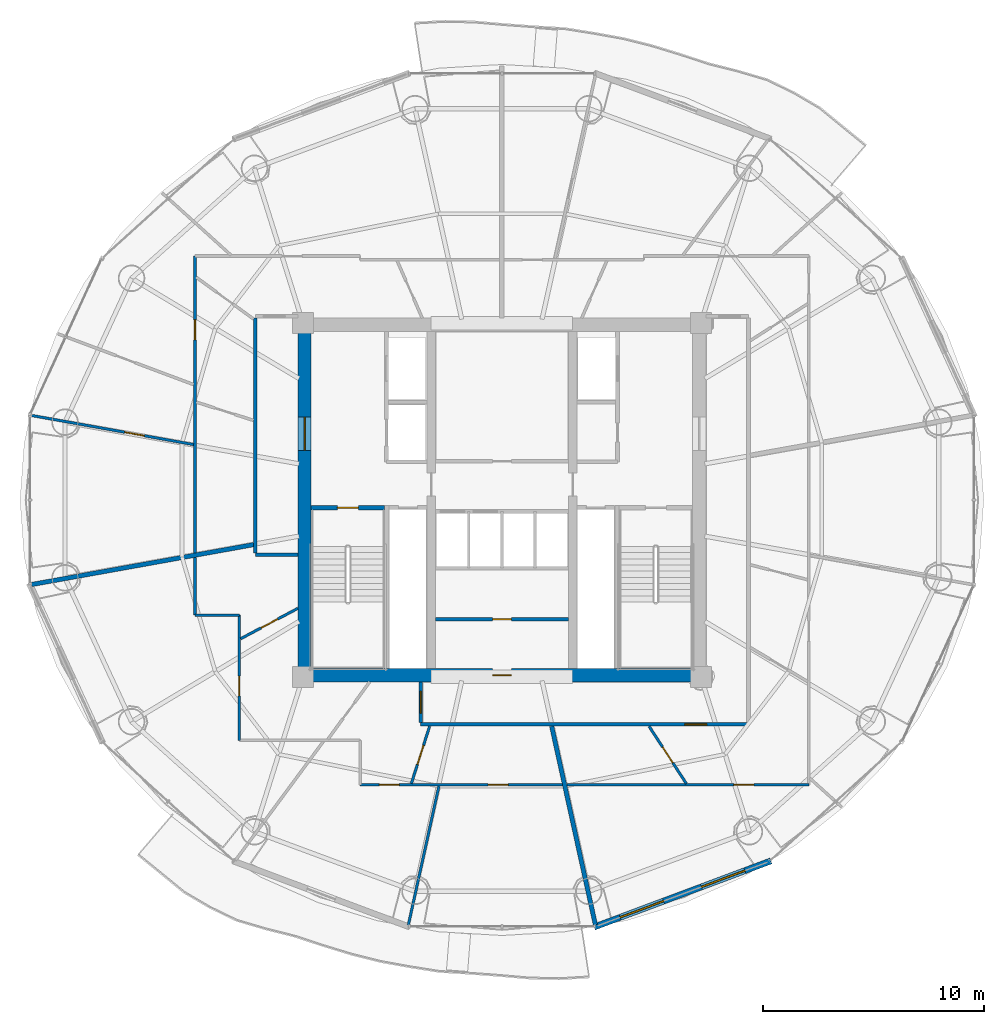
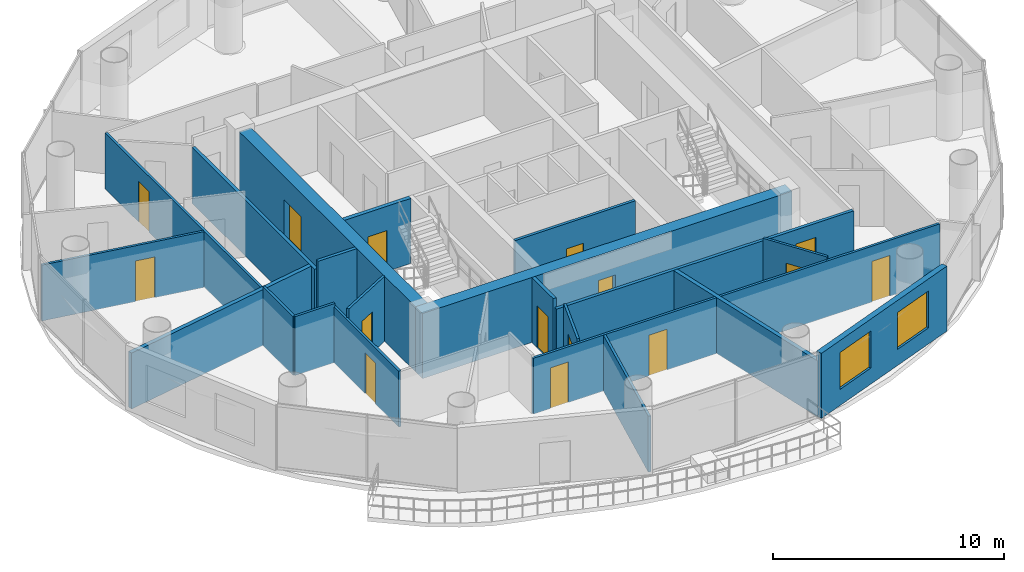
# One storey, part 20 of 27: 22 walls, 15 doors, 2 windows, 17 openings.
"""IFC4 building model written with IfcOpenShell, lengths in metres."""

from ifc_helpers import new_model, si_unit, direction, frame, frame_2d, origin, place, context, subcontext, project, spatial, rectangle, extrude, source, transform, mapped, material, layer, layer_set, type_object, element, fill, save


model = new_model("IFC4")

# Units and contexts
model_context = context("Model", 3, precision=1e-05, world=origin(), true_north=direction((-0.2419218956, 0.970295726276)))
body_context = subcontext(model_context, "Body", "Model", "MODEL_VIEW")
ifc_project = project(units=[si_unit("LENGTHUNIT", "METRE"), si_unit("AREAUNIT", "SQUARE_METRE"), si_unit("VOLUMEUNIT", "CUBIC_METRE"), si_unit("PLANEANGLEUNIT", "RADIAN"), si_unit("MASSUNIT", "GRAM", prefix="KILO")], contexts=[model_context])

# Site, building, storey
site_placement = place(None, origin())
site = spatial("IfcSite", under=ifc_project, at=site_placement, CompositionType="ELEMENT")
building_placement = place(site_placement, origin())
building = spatial("IfcBuilding", under=site, at=building_placement, Name="Cobrevalo Terracotta Tower", CompositionType="ELEMENT")
storey_placement = place(building_placement, frame((0.0, 0.0, 194.89990234375)))
storey = spatial("IfcBuildingStorey", under=building, at=storey_placement, Name="L51", CompositionType="ELEMENT", Elevation=194.89990234375)

# Wall, opening, door
ifc_material_1 = material(Name="Concrete C55", Category="concrete")
ifc_layer_1 = layer(ifc_material_1, 0.60009765625)
ifc_layer_set_1 = layer_set([ifc_layer_1], Name="Concrete C55")
wall_type_1 = type_object("IfcWallType", Name="Core shear wall 600 mm Concrete C55", PredefinedType="SHEAR", material=ifc_layer_set_1)
wall_1_placement = place(storey_placement, frame((28.77490234375, 18.875, 0.0), z_axis=(0.0, 0.0, 1.0), x_axis=(1.0, 0.0, 0.0)))
wall_1 = element("IfcWall", 1, at=wall_1_placement, inside=storey, type_object=wall_type_1, Name="L51 south core shear wall", PredefinedType="SHEAR", context=body_context, shape_type="SweptSolid", body=[
    extrude(rectangle(XDim=18.4501953125, YDim=0.60009765625, at=frame_2d((9.22509765625, 0.0))), origin(), (0.0, 0.0, 1.0), 3.43505859375),
])
opening_1_placement = place(wall_1_placement, frame((8.800048828125, 0.0, 0.0)))
opening_1 = element("IfcOpeningElement", 2, at=opening_1_placement, cuts=wall_1, Name="Opening ID-22", PredefinedType="OPENING", context=body_context, shape_type="SweptSolid", body=[
    extrude(rectangle(XDim=0.85009765625, YDim=2.10009765625, at=frame_2d((0.425048828125, 1.050048828125))), frame((0.0, 0.31005859375, 0.0), z_axis=(0.0, -1.0, 0.0), x_axis=(1.0, 0.0, 0.0)), (0.0, 0.0, 1.0), 0.6201171875),
])
ifc_material_2 = material(Name="Powder-coated steel", Category="steel")
door_type_1 = type_object("IfcDoorType", Name="Riser shaft & meter closet fire access door 850x2100 EI 60", OperationType="NOTDEFINED", PredefinedType="DOOR", material=ifc_material_2)
shared_shape_1 = source(origin(), body_context, "Body", "SweptSolid", [
    extrude(rectangle(XDim=0.85009765625, YDim=2.10009765625, at=frame_2d((0.425048828125, 1.050048828125))), frame((0.0, 0.02490234375, 0.0), z_axis=(0.0, -1.0, 0.0), x_axis=(1.0, 0.0, 0.0)), (0.0, 0.0, 1.0), 0.050048828125),
])
door_1_placement = place(opening_1_placement, origin())
door_1 = element("IfcDoor", 3, at=door_1_placement, inside=storey, type_object=door_type_1, Name="L51 core south plant door Smoke Extract Fan Plant", OperationType="SINGLE_SWING_RIGHT", OverallHeight=2.10009765625, OverallWidth=0.85009765625, PredefinedType="DOOR", context=body_context, shape_type="MappedRepresentation", body=[
    mapped(shared_shape_1, transform((0.0, 0.0, 0.0), scale=1.0)),
])
fill(opening_1, door_1)

wall_2_placement = place(storey_placement, frame((29.074951171875, 19.175048828125, 0.0), z_axis=(0.0, 0.0, 1.0), x_axis=(0.0, 1.0, 0.0)))
wall_2 = element("IfcWall", 4, at=wall_2_placement, inside=storey, type_object=wall_type_1, Name="L51 west core shear wall", PredefinedType="SHEAR", context=body_context, shape_type="SweptSolid", body=[
    extrude(rectangle(XDim=15.25, YDim=0.60009765625, at=frame_2d((7.625, 0.0))), origin(), (0.0, 0.0, 1.0), 3.43505859375),
])
opening_2_placement = place(wall_2_placement, frame((9.875, 0.0, 0.0)))
opening_2 = element("IfcOpeningElement", 5, at=opening_2_placement, cuts=wall_2, Name="Opening ID-14", PredefinedType="OPENING", context=body_context, shape_type="SweptSolid", body=[
    extrude(rectangle(XDim=1.5, YDim=2.199951171875, at=frame_2d((0.75, 1.10009765625))), frame((0.0, 0.31005859375, 0.0), z_axis=(0.0, -1.0, 0.0), x_axis=(1.0, 0.0, 0.0)), (0.0, 0.0, 1.0), 0.6201171875),
])
ifc_material_3 = material(Name="Galvanized fire-rated steel", Category="steel")
door_type_2 = type_object("IfcDoorType", Name="Core cross-lobby double fire door 1500x2200 EI 90", OperationType="NOTDEFINED", PredefinedType="DOOR", material=ifc_material_3)
shared_shape_2 = source(origin(), body_context, "Body", "SweptSolid", [
    extrude(rectangle(XDim=1.5, YDim=2.199951171875, at=frame_2d((0.75, 1.10009765625))), frame((0.0, 0.02490234375, 0.0), z_axis=(0.0, -1.0, 0.0), x_axis=(1.0, 0.0, 0.0)), (0.0, 0.0, 1.0), 0.050048828125),
])
door_2_placement = place(opening_2_placement, origin())
door_2 = element("IfcDoor", 6, at=door_2_placement, inside=storey, type_object=door_type_2, Name="L51 west firefighting lobby entrance door", OperationType="DOUBLE_DOOR_SINGLE_SWING", OverallHeight=2.199951171875, OverallWidth=1.5, PredefinedType="DOOR", context=body_context, shape_type="MappedRepresentation", body=[
    mapped(shared_shape_2, transform((0.0, 0.0, 0.0), scale=1.0)),
])
fill(opening_2, door_2)

# Walls
ifc_material_4 = material(Name="Gypsum board on steel stud", Category="steel")
ifc_layer_2 = layer(ifc_material_4, 0.159912109375)
ifc_layer_set_2 = layer_set([ifc_layer_2], Name="Gypsum board on steel stud")
wall_type_2 = type_object("IfcWallType", Name="Fire-rated corridor acoustic partition wall 160 mm", PredefinedType="PARTITIONING", material=ifc_layer_set_2)
wall_3_placement = place(storey_placement, frame((26.844970703125, 24.39990234375, 0.0), z_axis=(0.0, 0.0, 1.0), x_axis=(0.0, 1.0, 0.0)))
element("IfcWall", 7, at=wall_3_placement, inside=storey, type_object=wall_type_2, Name="L51 interior partition IW-L51-COR-W", PredefinedType="PARTITIONING", context=body_context, shape_type="SweptSolid", body=[
    extrude(rectangle(XDim=10.625, YDim=0.159912109375, at=frame_2d((5.3125, 0.0))), origin(), (0.0, 0.0, 1.0), 2.951171875),
])
wall_4_placement = place(storey_placement, frame((26.844970703125, 24.320068359375, 0.0), z_axis=(0.0, 0.0, 1.0), x_axis=(1.0, 0.0, 0.0)))
element("IfcWall", 8, at=wall_4_placement, inside=storey, type_object=wall_type_2, Name="L51 interior partition IW-L51-COR-WS-CAP", PredefinedType="PARTITIONING", context=body_context, shape_type="SweptSolid", body=[
    extrude(rectangle(XDim=1.929931640625, YDim=0.159912109375, at=frame_2d((0.96484375, 0.0))), origin(), (0.0, 0.0, 1.0), 3.43505859375),
])

# Wall, opening, door
wall_5_placement = place(storey_placement, frame((34.320068359375, 16.64501953125, 0.0), z_axis=(0.0, 0.0, 1.0), x_axis=(1.0, 0.0, 0.0)))
wall_5 = element("IfcWall", 9, at=wall_5_placement, inside=storey, type_object=wall_type_2, Name="L51 interior partition IW-L51-COR-S", PredefinedType="PARTITIONING", context=body_context, shape_type="SweptSolid", body=[
    extrude(rectangle(XDim=14.8349609375, YDim=0.159912109375, at=frame_2d((7.41748046875, 0.0))), origin(), (0.0, 0.0, 1.0), 2.951171875),
])
opening_3_placement = place(wall_5_placement, frame((11.96142578125, 0.0, 0.0)))
opening_3 = element("IfcOpeningElement", 10, at=opening_3_placement, cuts=wall_5, Name="Opening ID-05", PredefinedType="OPENING", context=body_context, shape_type="SweptSolid", body=[
    extrude(rectangle(XDim=0.97998046875, YDim=2.199951171875, at=frame_2d((0.489990234375, 1.10009765625))), frame((0.0, 0.08984375, 0.0), z_axis=(0.0, -1.0, 0.0), x_axis=(1.0, 0.0, 0.0)), (0.0, 0.0, 1.0), 0.179931640625),
])
ifc_material_5 = material(Name="Solid hardwood timber", Category="wood")
door_type_3 = type_object("IfcDoorType", Name="Residence entrance fire-rated acoustic timber door 980x2200 EI 60", OperationType="NOTDEFINED", PredefinedType="DOOR", material=ifc_material_5)
shared_shape_3 = source(origin(), body_context, "Body", "SweptSolid", [
    extrude(rectangle(XDim=0.97998046875, YDim=2.199951171875, at=frame_2d((0.489990234375, 1.10009765625))), frame((0.0, 0.02490234375, 0.0), z_axis=(0.0, -1.0, 0.0), x_axis=(1.0, 0.0, 0.0)), (0.0, 0.0, 1.0), 0.050048828125),
])
door_3_placement = place(opening_3_placement, origin())
door_3 = element("IfcDoor", 11, at=door_3_placement, inside=storey, type_object=door_type_3, Name="Flat L51D fire-rated apartment entrance door", OperationType="SINGLE_SWING_RIGHT", OverallHeight=2.199951171875, OverallWidth=0.97998046875, PredefinedType="DOOR", context=body_context, shape_type="MappedRepresentation", body=[
    mapped(shared_shape_3, transform((0.0, 0.0, 0.0), scale=1.0)),
])
fill(opening_3, door_3)

wall_6_placement = place(storey_placement, frame((34.320068359375, 16.72509765625, 0.0), z_axis=(0.0, 0.0, 1.0), x_axis=(0.0, 1.0, 0.0)))
wall_6 = element("IfcWall", 12, at=wall_6_placement, inside=storey, type_object=wall_type_2, Name="L51 interior partition IW-L51-COR-SW-CAP", PredefinedType="PARTITIONING", context=body_context, shape_type="SweptSolid", body=[
    extrude(rectangle(XDim=1.849853515625, YDim=0.159912109375, at=frame_2d((0.9248046875, 0.0))), origin(), (0.0, 0.0, 1.0), 3.43505859375),
])
opening_4_placement = place(wall_6_placement, frame((0.43505859375, 0.0, 0.0)))
opening_4 = element("IfcOpeningElement", 13, at=opening_4_placement, cuts=wall_6, Name="Opening ID-05", PredefinedType="OPENING", context=body_context, shape_type="SweptSolid", body=[
    extrude(rectangle(XDim=0.97998046875, YDim=2.199951171875, at=frame_2d((0.489990234375, 1.10009765625))), frame((0.0, 0.08984375, 0.0), z_axis=(0.0, -1.0, 0.0), x_axis=(1.0, 0.0, 0.0)), (0.0, 0.0, 1.0), 0.179931640625),
])
door_4_placement = place(opening_4_placement, origin())
door_4 = element("IfcDoor", 14, at=door_4_placement, inside=storey, type_object=door_type_3, Name="Flat L51C fire-rated apartment entrance door", OperationType="SINGLE_SWING_LEFT", OverallHeight=2.199951171875, OverallWidth=0.97998046875, PredefinedType="DOOR", context=body_context, shape_type="MappedRepresentation", body=[
    mapped(shared_shape_3, transform((0.0, 0.0, 0.0), scale=1.0)),
])
fill(opening_4, door_4)

# Walls
ifc_material_6 = material(Name="Autoclaved aerated concrete block", Category="concrete")
ifc_layer_3 = layer(ifc_material_6, 0.199951171875)
ifc_layer_set_3 = layer_set([ifc_layer_3], Name="Autoclaved aerated concrete block")
wall_type_3 = type_object("IfcWallType", Name="Fire-rated stair, shaft & demising masonry wall 200 mm", PredefinedType="PARTITIONING", material=ifc_layer_set_3)
wall_7_placement = place(storey_placement, frame((26.764892578125, 24.780517578125, 0.0), z_axis=(0.0, 0.0, 1.0), x_axis=(-0.984226684914, -0.176911934879, 0.0)))
element("IfcWall", 15, at=wall_7_placement, inside=storey, type_object=wall_type_3, Name="L51 interior partition IW-L51-DEM-3", PredefinedType="PARTITIONING", context=body_context, shape_type="SweptSolid", body=[
    extrude(rectangle(XDim=10.202392578125, YDim=0.199951171875, at=frame_2d((5.10107421875, 0.0))), origin(), (0.0, 0.0, 1.0), 2.951171875),
])
wall_8_placement = place(storey_placement, frame((40.2529296875, 16.56494140625, 0.0), z_axis=(0.0, 0.0, 1.0), x_axis=(0.214957946814, -0.976623305631, 0.0)))
element("IfcWall", 16, at=wall_8_placement, inside=storey, type_object=wall_type_3, Name="L51 interior partition IW-L51-DEM-4", PredefinedType="PARTITIONING", context=body_context, shape_type="SweptSolid", body=[
    extrude(rectangle(XDim=9.201904296875, YDim=0.199951171875, at=frame_2d((4.60107421875, 0.0))), origin(), (0.0, 0.0, 1.0), 2.951171875),
])

# Wall, openings, windows
ifc_layer_4 = layer(ifc_material_6, 0.280029296875)
ifc_layer_set_4 = layer_set([ifc_layer_4], Name="Autoclaved aerated concrete block")
wall_type_4 = type_object("IfcWallType", Name="Insulated tower spandrel & pier wall 280 mm with terracotta rainscreen", PredefinedType="SOLIDWALL", material=ifc_layer_set_4)
wall_9_placement = place(storey_placement, frame((42.172119140625, 7.47998046875, 0.0), z_axis=(0.0, 0.0, 1.0), x_axis=(0.936556918375, 0.350515532672, 0.0)))
wall_9 = element("IfcWall", 17, at=wall_9_placement, inside=storey, type_object=wall_type_4, Name="L51 terracotta rainscreen pier wall S13", PredefinedType="SOLIDWALL", context=body_context, shape_type="SweptSolid", body=[
    extrude(rectangle(XDim=8.539306640625, YDim=0.280029296875, at=frame_2d((4.26953125, 0.0))), origin(), (0.0, 0.0, 1.0), 3.43505859375),
])
opening_5_placement = place(wall_9_placement, frame((1.255615234375, 0.0, 0.85009765625)))
opening_5 = element("IfcOpeningElement", 18, at=opening_5_placement, cuts=wall_9, Name="Opening WN-10", PredefinedType="OPENING", context=body_context, shape_type="SweptSolid", body=[
    extrude(rectangle(XDim=2.10009765625, YDim=1.949951171875, at=frame_2d((1.050048828125, 0.97509765625))), frame((0.0, 0.14990234375, 0.0), z_axis=(0.0, -1.0, 0.0), x_axis=(1.0, 0.0, 0.0)), (0.0, 0.0, 1.0), 0.300048828125),
])
opening_6_placement = place(wall_9_placement, frame((5.18359375, 0.0, 0.85009765625)))
opening_6 = element("IfcOpeningElement", 19, at=opening_6_placement, cuts=wall_9, Name="Opening WN-10", PredefinedType="OPENING", context=body_context, shape_type="SweptSolid", body=[
    extrude(rectangle(XDim=2.10009765625, YDim=1.949951171875, at=frame_2d((1.050048828125, 0.97509765625))), frame((0.0, 0.14990234375, 0.0), z_axis=(0.0, -1.0, 0.0), x_axis=(1.0, 0.0, 0.0)), (0.0, 0.0, 1.0), 0.300048828125),
])
ifc_material_7 = material(Name="Solar-control low-E double glazing", Category="glass")
window_type = type_object("IfcWindowType", Name="Wide panoramic low-E aluminium window 2100x1950", PartitioningType="SINGLE_PANEL", PredefinedType="WINDOW", material=ifc_material_7)
shared_shape_4 = source(origin(), body_context, "Body", "SweptSolid", [
    extrude(rectangle(XDim=2.10009765625, YDim=1.949951171875, at=frame_2d((1.050048828125, 0.97509765625))), frame((0.0, 0.030029296875, 0.0), z_axis=(0.0, -1.0, 0.0), x_axis=(1.0, 0.0, 0.0)), (0.0, 0.0, 1.0), 0.06005859375),
])
window_1_placement = place(opening_5_placement, origin())
window_1 = element("IfcWindow", 20, at=window_1_placement, inside=storey, type_object=window_type, Name="L51 suite window S13A", OverallHeight=1.949951171875, OverallWidth=2.10009765625, PartitioningType="SINGLE_PANEL", PredefinedType="WINDOW", context=body_context, shape_type="MappedRepresentation", body=[
    mapped(shared_shape_4, transform((0.0, 0.0, 0.0), scale=1.0)),
])
fill(opening_5, window_1)
window_2_placement = place(opening_6_placement, origin())
window_2 = element("IfcWindow", 21, at=window_2_placement, inside=storey, type_object=window_type, Name="L51 suite window S13B", OverallHeight=1.949951171875, OverallWidth=2.10009765625, PartitioningType="SINGLE_PANEL", PredefinedType="WINDOW", context=body_context, shape_type="MappedRepresentation", body=[
    mapped(shared_shape_4, transform((0.0, 0.0, 0.0), scale=1.0)),
])
fill(opening_6, window_2)

# Wall, opening, door
ifc_layer_5 = layer(ifc_material_6, 0.139892578125)
ifc_layer_set_5 = layer_set([ifc_layer_5], Name="Autoclaved aerated concrete block")
wall_type_5 = type_object("IfcWallType", Name="Moisture-resistant wet-room & core service partition 140 mm", PredefinedType="PARTITIONING", material=ifc_layer_set_5)
wall_10_placement = place(storey_placement, frame((34.989990234375, 21.407470703125, 0.0), z_axis=(0.0, 0.0, 1.0), x_axis=(1.0, 0.0, 0.0)))
wall_10 = element("IfcWall", 22, at=wall_10_placement, inside=storey, type_object=wall_type_5, Name="L51 interior partition IW-L51-KVS-H", PredefinedType="PARTITIONING", context=body_context, shape_type="SweptSolid", body=[
    extrude(rectangle(XDim=6.02001953125, YDim=0.139892578125, at=frame_2d((3.010009765625, 0.0))), origin(), (0.0, 0.0, 1.0), 3.43505859375),
])
opening_7_placement = place(wall_10_placement, frame((2.5849609375, 0.0, 0.0)))
opening_7 = element("IfcOpeningElement", 23, at=opening_7_placement, cuts=wall_10, Name="Opening ID-22", PredefinedType="OPENING", context=body_context, shape_type="SweptSolid", body=[
    extrude(rectangle(XDim=0.85009765625, YDim=2.10009765625, at=frame_2d((0.425048828125, 1.050048828125))), frame((0.0, 0.080078125, 0.0), z_axis=(0.0, -1.0, 0.0), x_axis=(1.0, 0.0, 0.0)), (0.0, 0.0, 1.0), 0.159912109375),
])
door_5_placement = place(opening_7_placement, origin())
door_5 = element("IfcDoor", 24, at=door_5_placement, inside=storey, type_object=door_type_1, Name="L51 core manifold inner door", OperationType="SINGLE_SWING_LEFT", OverallHeight=2.10009765625, OverallWidth=0.85009765625, PredefinedType="DOOR", context=body_context, shape_type="MappedRepresentation", body=[
    mapped(shared_shape_1, transform((0.0, 0.0, 0.0), scale=1.0)),
])
fill(opening_7, door_5)

ifc_layer_6 = layer(ifc_material_4, 0.1201171875)
ifc_layer_set_6 = layer_set([ifc_layer_6], Name="Gypsum board on steel stud")
wall_type_6 = type_object("IfcWallType", Name="Residential internal acoustic stud partition 120 mm", PredefinedType="PARTITIONING", material=ifc_layer_set_6)
wall_11_placement = place(storey_placement, frame((24.114990234375, 24.40625, 0.0), z_axis=(0.0, 0.0, 1.0), x_axis=(0.0, 1.0, 0.0)))
wall_11 = element("IfcWall", 25, at=wall_11_placement, inside=storey, type_object=wall_type_6, Name="L51 interior partition IW-L51-U2-RING0_0", PredefinedType="PARTITIONING", context=body_context, shape_type="SweptSolid", body=[
    extrude(rectangle(XDim=13.4287109375, YDim=0.1201171875, at=frame_2d((6.71435546875, 0.0))), origin(), (0.0, 0.0, 1.0), 2.951171875),
])
opening_8_placement = place(wall_11_placement, frame((9.640869140625, 0.0, 0.0)))
opening_8 = element("IfcOpeningElement", 26, at=opening_8_placement, cuts=wall_11, Name="Opening ID-12", PredefinedType="OPENING", context=body_context, shape_type="SweptSolid", body=[
    extrude(rectangle(XDim=0.89990234375, YDim=2.14990234375, at=frame_2d((0.449951171875, 1.074951171875))), frame((0.0, 0.070068359375, 0.0), z_axis=(0.0, -1.0, 0.0), x_axis=(1.0, 0.0, 0.0)), (0.0, 0.0, 1.0), 0.14013671875),
])
ifc_material_8 = material(Name="Engineered timber", Category="wood")
door_type_4 = type_object("IfcDoorType", Name="Internal residence & suite timber door 900x2150", OperationType="NOTDEFINED", PredefinedType="DOOR", material=ifc_material_8)
shared_shape_5 = source(origin(), body_context, "Body", "SweptSolid", [
    extrude(rectangle(XDim=0.89990234375, YDim=2.14990234375, at=frame_2d((0.449951171875, 1.074951171875))), frame((0.0, 0.02490234375, 0.0), z_axis=(0.0, -1.0, 0.0), x_axis=(1.0, 0.0, 0.0)), (0.0, 0.0, 1.0), 0.050048828125),
])
door_6_placement = place(opening_8_placement, origin())
door_6 = element("IfcDoor", 27, at=door_6_placement, inside=storey, type_object=door_type_4, Name="Flat L51B Master Bedroom internal door", OperationType="SINGLE_SWING_RIGHT", OverallHeight=2.14990234375, OverallWidth=0.89990234375, PredefinedType="DOOR", context=body_context, shape_type="MappedRepresentation", body=[
    mapped(shared_shape_5, transform((0.0, 0.0, 0.0), scale=1.0)),
])
fill(opening_8, door_6)

wall_12_placement = place(storey_placement, frame((24.053955078125, 29.306884765625, 0.0), z_axis=(0.0, 0.0, 1.0), x_axis=(-0.984227185588, 0.176909149424, 0.0)))
wall_12 = element("IfcWall", 28, at=wall_12_placement, inside=storey, type_object=wall_type_6, Name="L51 interior partition IW-L51-U2-ORAD3M1", PredefinedType="PARTITIONING", context=body_context, shape_type="SweptSolid", body=[
    extrude(rectangle(XDim=7.447998046875, YDim=0.1201171875, at=frame_2d((3.72412109375, 0.0))), origin(), (0.0, 0.0, 1.0), 2.951171875),
])
opening_9_placement = place(wall_12_placement, frame((2.263916015625, 0.0, 0.0)))
opening_9 = element("IfcOpeningElement", 29, at=opening_9_placement, cuts=wall_12, Name="Opening ID-12", PredefinedType="OPENING", context=body_context, shape_type="SweptSolid", body=[
    extrude(rectangle(XDim=0.89990234375, YDim=2.14990234375, at=frame_2d((0.449951171875, 1.074951171875))), frame((0.0, 0.070068359375, 0.0), z_axis=(0.0, -1.0, 0.0), x_axis=(1.0, 0.0, 0.0)), (0.0, 0.0, 1.0), 0.14013671875),
])
door_7_placement = place(opening_9_placement, origin())
door_7 = element("IfcDoor", 30, at=door_7_placement, inside=storey, type_object=door_type_4, Name="Flat L51B Penthouse Family Lounge internal door", OperationType="SINGLE_SWING_RIGHT", OverallHeight=2.14990234375, OverallWidth=0.89990234375, PredefinedType="DOOR", context=body_context, shape_type="MappedRepresentation", body=[
    mapped(shared_shape_5, transform((0.0, 0.0, 0.0), scale=1.0)),
])
fill(opening_9, door_7)

# Wall, openings, doors
wall_13_placement = place(storey_placement, frame((40.734130859375, 13.9150390625, 0.0), z_axis=(0.0, 0.0, 1.0), x_axis=(-1.0, 0.0, 0.0)))
wall_13 = element("IfcWall", 31, at=wall_13_placement, inside=storey, type_object=wall_type_6, Name="L51 interior partition IW-L51-U3-RING0_0", PredefinedType="PARTITIONING", context=body_context, shape_type="SweptSolid", body=[
    extrude(rectangle(XDim=9.14404296875, YDim=0.1201171875, at=frame_2d((4.572021484375, 0.0))), origin(), (0.0, 0.0, 1.0), 2.951171875),
])
opening_10_placement = place(wall_13_placement, frame((7.38134765625, 0.0, 0.0)))
opening_10 = element("IfcOpeningElement", 32, at=opening_10_placement, cuts=wall_13, Name="Opening ID-12", PredefinedType="OPENING", context=body_context, shape_type="SweptSolid", body=[
    extrude(rectangle(XDim=0.89990234375, YDim=2.14990234375, at=frame_2d((0.449951171875, 1.074951171875))), frame((0.0, 0.070068359375, 0.0), z_axis=(0.0, -1.0, 0.0), x_axis=(1.0, 0.0, 0.0)), (0.0, 0.0, 1.0), 0.14013671875),
])
opening_11_placement = place(wall_13_placement, frame((2.4580078125, 0.0, 0.0)))
opening_11 = element("IfcOpeningElement", 33, at=opening_11_placement, cuts=wall_13, Name="Opening ID-12", PredefinedType="OPENING", context=body_context, shape_type="SweptSolid", body=[
    extrude(rectangle(XDim=0.89990234375, YDim=2.14990234375, at=frame_2d((0.449951171875, 1.074951171875))), frame((0.0, 0.070068359375, 0.0), z_axis=(0.0, -1.0, 0.0), x_axis=(1.0, 0.0, 0.0)), (0.0, 0.0, 1.0), 0.14013671875),
])
door_8_placement = place(opening_10_placement, origin())
door_8 = element("IfcDoor", 34, at=door_8_placement, inside=storey, type_object=door_type_4, Name="Flat L51C Master Bedroom internal door", OperationType="SINGLE_SWING_RIGHT", OverallHeight=2.14990234375, OverallWidth=0.89990234375, PredefinedType="DOOR", context=body_context, shape_type="MappedRepresentation", body=[
    mapped(shared_shape_5, transform((0.0, 0.0, 0.0), scale=1.0)),
])
fill(opening_10, door_8)
door_9_placement = place(opening_11_placement, origin())
door_9 = element("IfcDoor", 35, at=door_9_placement, inside=storey, type_object=door_type_4, Name="Flat L51C Penthouse Family Lounge internal door", OperationType="SINGLE_SWING_LEFT", OverallHeight=2.14990234375, OverallWidth=0.89990234375, PredefinedType="DOOR", context=body_context, shape_type="MappedRepresentation", body=[
    mapped(shared_shape_5, transform((0.0, 0.0, 0.0), scale=1.0)),
])
fill(opening_11, door_9)

# Wall, opening, door
wall_14_placement = place(storey_placement, frame((26.125, 15.925048828125, 0.0), z_axis=(0.0, 0.0, 1.0), x_axis=(0.0, 1.0, 0.0)))
wall_14 = element("IfcWall", 36, at=wall_14_placement, inside=storey, type_object=wall_type_6, Name="L51 interior partition IW-L51-U3-RING3_0", PredefinedType="PARTITIONING", context=body_context, shape_type="SweptSolid", body=[
    extrude(rectangle(XDim=5.6650390625, YDim=0.1201171875, at=frame_2d((2.83251953125, 0.0))), origin(), (0.0, 0.0, 1.0), 2.951171875),
])
opening_12_placement = place(wall_14_placement, frame((2.01025390625, 0.0, 0.0)))
opening_12 = element("IfcOpeningElement", 37, at=opening_12_placement, cuts=wall_14, Name="Opening ID-12", PredefinedType="OPENING", context=body_context, shape_type="SweptSolid", body=[
    extrude(rectangle(XDim=0.89990234375, YDim=2.14990234375, at=frame_2d((0.449951171875, 1.074951171875))), frame((0.0, 0.070068359375, 0.0), z_axis=(0.0, -1.0, 0.0), x_axis=(1.0, 0.0, 0.0)), (0.0, 0.0, 1.0), 0.14013671875),
])
door_10_placement = place(opening_12_placement, origin())
door_10 = element("IfcDoor", 38, at=door_10_placement, inside=storey, type_object=door_type_4, Name="Flat L51C Living and Dining Room internal door", OperationType="SINGLE_SWING_RIGHT", OverallHeight=2.14990234375, OverallWidth=0.89990234375, PredefinedType="DOOR", context=body_context, shape_type="MappedRepresentation", body=[
    mapped(shared_shape_5, transform((0.0, 0.0, 0.0), scale=1.0)),
])
fill(opening_12, door_10)

# Walls
wall_15_placement = place(storey_placement, frame((26.125, 21.590087890625, 0.0), z_axis=(0.0, 0.0, 1.0), x_axis=(-1.0, 0.0, 0.0)))
element("IfcWall", 39, at=wall_15_placement, inside=storey, type_object=wall_type_6, Name="L51 interior partition IW-L51-U3-RING4_0", PredefinedType="PARTITIONING", context=body_context, shape_type="SweptSolid", body=[
    extrude(rectangle(XDim=2.010009765625, YDim=0.1201171875, at=frame_2d((1.0048828125, 0.0))), origin(), (0.0, 0.0, 1.0), 3.110107421875),
])
wall_16_placement = place(storey_placement, frame((24.114990234375, 21.590087890625, 0.0), z_axis=(0.0, 0.0, 1.0), x_axis=(0.0, 1.0, 0.0)))
element("IfcWall", 40, at=wall_16_placement, inside=storey, type_object=wall_type_6, Name="L51 interior partition IW-L51-U3-RING5_0", PredefinedType="PARTITIONING", context=body_context, shape_type="SweptSolid", body=[
    extrude(rectangle(XDim=2.612060546875, YDim=0.1201171875, at=frame_2d((1.30615234375, 0.0))), origin(), (0.0, 0.0, 1.0), 3.110107421875),
])
wall_17_placement = place(storey_placement, frame((35.150390625, 13.8544921875, 0.0), z_axis=(0.0, 0.0, 1.0), x_axis=(-0.214942949264, -0.976626606519, 0.0)))
element("IfcWall", 41, at=wall_17_placement, inside=storey, type_object=wall_type_6, Name="L51 interior partition IW-L51-U3-ORAD2M1", PredefinedType="PARTITIONING", context=body_context, shape_type="SweptSolid", body=[
    extrude(rectangle(XDim=6.426513671875, YDim=0.1201171875, at=frame_2d((3.21337890625, 0.0))), origin(), (0.0, 0.0, 1.0), 2.951171875),
])

# Wall, opening, door
wall_18_placement = place(storey_placement, frame((28.77490234375, 21.901123046875, 0.0), z_axis=(0.0, 0.0, 1.0), x_axis=(-0.883156592468, -0.46907828044, 0.0)))
wall_18 = element("IfcWall", 42, at=wall_18_placement, inside=storey, type_object=wall_type_6, Name="L51 interior partition IW-L51-U3-IRAD1", PredefinedType="PARTITIONING", context=body_context, shape_type="SweptSolid", body=[
    extrude(rectangle(XDim=2.9384765625, YDim=0.1201171875, at=frame_2d((1.46923828125, 0.0))), origin(), (0.0, 0.0, 1.0), 3.43505859375),
])
opening_13_placement = place(wall_18_placement, frame((1.039306640625, 0.0, 0.0)))
opening_13 = element("IfcOpeningElement", 43, at=opening_13_placement, cuts=wall_18, Name="Opening ID-19", PredefinedType="OPENING", context=body_context, shape_type="SweptSolid", body=[
    extrude(rectangle(XDim=0.860107421875, YDim=2.14990234375, at=frame_2d((0.43017578125, 1.074951171875))), frame((0.0, 0.070068359375, 0.0), z_axis=(0.0, -1.0, 0.0), x_axis=(1.0, 0.0, 0.0)), (0.0, 0.0, 1.0), 0.14013671875),
])
ifc_material_9 = material(Name="Moisture-sealed timber", Category="wood")
door_type_5 = type_object("IfcDoorType", Name="Suite bathroom internal timber door 860x2150", OperationType="NOTDEFINED", PredefinedType="DOOR", material=ifc_material_9)
shared_shape_6 = source(origin(), body_context, "Body", "SweptSolid", [
    extrude(rectangle(XDim=0.860107421875, YDim=2.14990234375, at=frame_2d((0.43017578125, 1.074951171875))), frame((0.0, 0.02490234375, 0.0), z_axis=(0.0, -1.0, 0.0), x_axis=(1.0, 0.0, 0.0)), (0.0, 0.0, 1.0), 0.050048828125),
])
door_11_placement = place(opening_13_placement, frame((0.860107421875, 0.0, 0.0), z_axis=(0.0, 0.0, 1.0), x_axis=(-1.0, 0.0, 0.0)))
door_11 = element("IfcDoor", 44, at=door_11_placement, inside=storey, type_object=door_type_5, Name="Flat L51C Primary Bathroom internal door", OperationType="SINGLE_SWING_LEFT", OverallHeight=2.14990234375, OverallWidth=0.860107421875, PredefinedType="DOOR", context=body_context, shape_type="MappedRepresentation", body=[
    mapped(shared_shape_6, transform((0.0, 0.0, 0.0), scale=1.0)),
])
fill(opening_13, door_11)

wall_19_placement = place(storey_placement, frame((34.730224609375, 16.56494140625, 0.0), z_axis=(0.0, 0.0, 1.0), x_axis=(-0.304300161081, -0.952576197459, 0.0)))
wall_19 = element("IfcWall", 45, at=wall_19_placement, inside=storey, type_object=wall_type_6, Name="L51 interior partition IW-L51-U3-IRAD3", PredefinedType="PARTITIONING", context=body_context, shape_type="SweptSolid", body=[
    extrude(rectangle(XDim=2.7197265625, YDim=0.1201171875, at=frame_2d((1.35986328125, 0.0))), origin(), (0.0, 0.0, 1.0), 3.110107421875),
])
opening_14_placement = place(wall_19_placement, frame((0.909912109375, 0.0, 0.0)))
opening_14 = element("IfcOpeningElement", 46, at=opening_14_placement, cuts=wall_19, Name="Opening ID-12", PredefinedType="OPENING", context=body_context, shape_type="SweptSolid", body=[
    extrude(rectangle(XDim=0.89990234375, YDim=2.14990234375, at=frame_2d((0.449951171875, 1.074951171875))), frame((0.0, 0.070068359375, 0.0), z_axis=(0.0, -1.0, 0.0), x_axis=(1.0, 0.0, 0.0)), (0.0, 0.0, 1.0), 0.14013671875),
])
door_12_placement = place(opening_14_placement, origin())
door_12 = element("IfcDoor", 47, at=door_12_placement, inside=storey, type_object=door_type_4, Name="Flat L51C Home Office Study internal door", OperationType="SINGLE_SWING_LEFT", OverallHeight=2.14990234375, OverallWidth=0.89990234375, PredefinedType="DOOR", context=body_context, shape_type="MappedRepresentation", body=[
    mapped(shared_shape_5, transform((0.0, 0.0, 0.0), scale=1.0)),
])
fill(opening_14, door_12)

wall_20_placement = place(storey_placement, frame((51.885009765625, 13.9150390625, 0.0), z_axis=(0.0, 0.0, 1.0), x_axis=(-1.0, 0.0, 0.0)))
wall_20 = element("IfcWall", 48, at=wall_20_placement, inside=storey, type_object=wall_type_6, Name="L51 interior partition IW-L51-U4-RING1_0", PredefinedType="PARTITIONING", context=body_context, shape_type="SweptSolid", body=[
    extrude(rectangle(XDim=10.94677734375, YDim=0.1201171875, at=frame_2d((5.473388671875, 0.0))), origin(), (0.0, 0.0, 1.0), 2.951171875),
])
opening_15_placement = place(wall_20_placement, frame((2.486083984375, 0.0, 0.0)))
opening_15 = element("IfcOpeningElement", 49, at=opening_15_placement, cuts=wall_20, Name="Opening ID-12", PredefinedType="OPENING", context=body_context, shape_type="SweptSolid", body=[
    extrude(rectangle(XDim=0.89990234375, YDim=2.14990234375, at=frame_2d((0.449951171875, 1.074951171875))), frame((0.0, 0.070068359375, 0.0), z_axis=(0.0, -1.0, 0.0), x_axis=(1.0, 0.0, 0.0)), (0.0, 0.0, 1.0), 0.14013671875),
])
door_13_placement = place(opening_15_placement, origin())
door_13 = element("IfcDoor", 50, at=door_13_placement, inside=storey, type_object=door_type_4, Name="Flat L51D Living and Dining Room internal door", OperationType="SINGLE_SWING_RIGHT", OverallHeight=2.14990234375, OverallWidth=0.89990234375, PredefinedType="DOOR", context=body_context, shape_type="MappedRepresentation", body=[
    mapped(shared_shape_5, transform((0.0, 0.0, 0.0), scale=1.0)),
])
fill(opening_15, door_13)

wall_21_placement = place(storey_placement, frame((44.656005859375, 16.56494140625, 0.0), z_axis=(0.0, 0.0, 1.0), x_axis=(0.545173870382, -0.838322999239, 0.0)))
wall_21 = element("IfcWall", 51, at=wall_21_placement, inside=storey, type_object=wall_type_6, Name="L51 interior partition IW-L51-U4-IRAD1", PredefinedType="PARTITIONING", context=body_context, shape_type="SweptSolid", body=[
    extrude(rectangle(XDim=3.098876953125, YDim=0.1201171875, at=frame_2d((1.54931640625, 0.0))), origin(), (0.0, 0.0, 1.0), 3.110107421875),
])
opening_16_placement = place(wall_21_placement, frame((1.119384765625, 0.0, 0.0)))
opening_16 = element("IfcOpeningElement", 52, at=opening_16_placement, cuts=wall_21, Name="Opening ID-19", PredefinedType="OPENING", context=body_context, shape_type="SweptSolid", body=[
    extrude(rectangle(XDim=0.860107421875, YDim=2.14990234375, at=frame_2d((0.43017578125, 1.074951171875))), frame((0.0, 0.070068359375, 0.0), z_axis=(0.0, -1.0, 0.0), x_axis=(1.0, 0.0, 0.0)), (0.0, 0.0, 1.0), 0.14013671875),
])
door_14_placement = place(opening_16_placement, frame((0.860107421875, 0.0, 0.0), z_axis=(0.0, 0.0, 1.0), x_axis=(-1.0, 0.0, 0.0)))
door_14 = element("IfcDoor", 53, at=door_14_placement, inside=storey, type_object=door_type_5, Name="Flat L51D Primary Bathroom internal door", OperationType="SINGLE_SWING_LEFT", OverallHeight=2.14990234375, OverallWidth=0.860107421875, PredefinedType="DOOR", context=body_context, shape_type="MappedRepresentation", body=[
    mapped(shared_shape_6, transform((0.0, 0.0, 0.0), scale=1.0)),
])
fill(opening_16, door_14)

ifc_material_10 = material(Name="Concrete C50", Category="concrete")
ifc_layer_7 = layer(ifc_material_10, 0.199951171875)
ifc_layer_set_7 = layer_set([ifc_layer_7], Name="Concrete C50")
wall_type_7 = type_object("IfcWallType", Name="Structural core & podium stair-shaft RC wall 200 mm Concrete C50", PredefinedType="SOLIDWALL", material=ifc_layer_set_7)
wall_22_placement = place(storey_placement, frame((29.375, 26.449951171875, 0.0), z_axis=(0.0, 0.0, 1.0), x_axis=(1.0, 0.0, 0.0)))
wall_22 = element("IfcWall", 54, at=wall_22_placement, inside=storey, type_object=wall_type_7, Name="L51 ST-1 north structural shaft wall", PredefinedType="SOLIDWALL", context=body_context, shape_type="SweptSolid", body=[
    extrude(rectangle(XDim=3.320068359375, YDim=0.199951171875, at=frame_2d((1.66015625, 0.0))), origin(), (0.0, 0.0, 1.0), 3.43505859375),
])
opening_17_placement = place(wall_22_placement, frame((1.18505859375, 0.0, 0.0)))
opening_17 = element("IfcOpeningElement", 55, at=opening_17_placement, cuts=wall_22, Name="Opening ID-04", PredefinedType="OPENING", context=body_context, shape_type="SweptSolid", body=[
    extrude(rectangle(XDim=0.949951171875, YDim=2.14990234375, at=frame_2d((0.47509765625, 1.074951171875))), frame((0.0, 0.10986328125, 0.0), z_axis=(0.0, -1.0, 0.0), x_axis=(1.0, 0.0, 0.0)), (0.0, 0.0, 1.0), 0.219970703125),
])
door_type_6 = type_object("IfcDoorType", Name="Stair & firefighting lobby fire door 950x2150 EI 90", OperationType="NOTDEFINED", PredefinedType="DOOR", material=ifc_material_3)
shared_shape_7 = source(origin(), body_context, "Body", "SweptSolid", [
    extrude(rectangle(XDim=0.949951171875, YDim=2.14990234375, at=frame_2d((0.47509765625, 1.074951171875))), frame((0.0, 0.02490234375, 0.0), z_axis=(0.0, -1.0, 0.0), x_axis=(1.0, 0.0, 0.0)), (0.0, 0.0, 1.0), 0.050048828125),
])
door_15_placement = place(opening_17_placement, origin())
door_15 = element("IfcDoor", 56, at=door_15_placement, inside=storey, type_object=door_type_6, Name="L51 protected stair ST1 fire door", OperationType="SINGLE_SWING_LEFT", OverallHeight=2.14990234375, OverallWidth=0.949951171875, PredefinedType="DOOR", context=body_context, shape_type="MappedRepresentation", body=[
    mapped(shared_shape_7, transform((0.0, 0.0, 0.0), scale=1.0)),
])
fill(opening_17, door_15)

save(model, "model.ifc")
